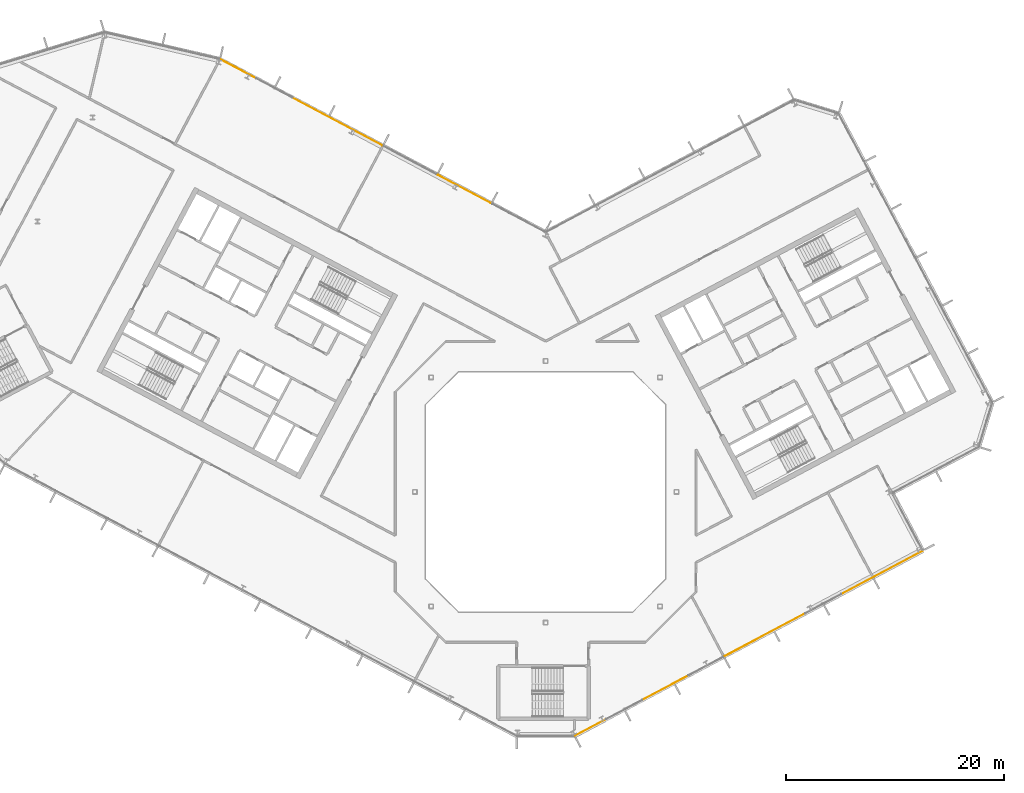
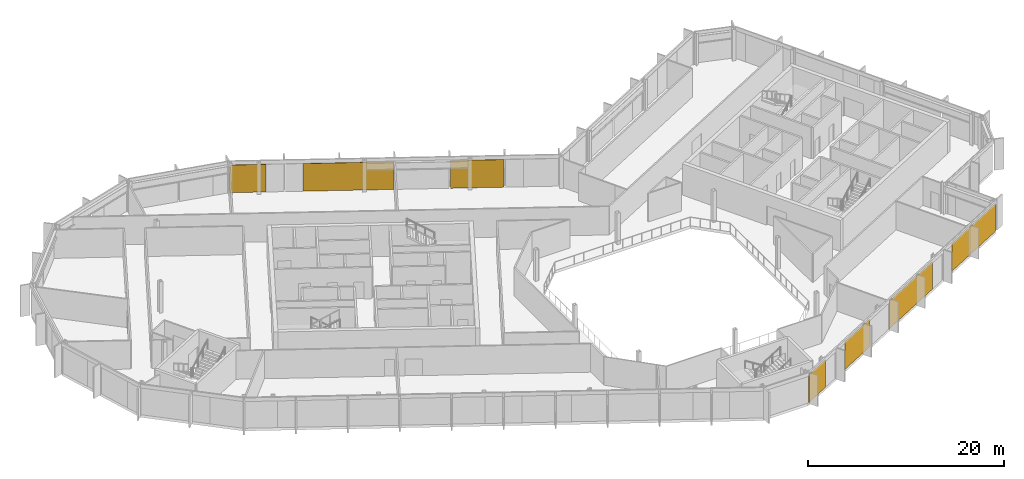
# One storey, part 23 of 25: 7 coverings, 2 elements without a shape of their own.
"""IFC4 building model written with IfcOpenShell, lengths in metres."""

import ifcopenshell
import ifcopenshell.guid

model = None  # the IFC model being written
_history = None  # IfcOwnerHistory: only IFC2X3 demands one
_inside = {}  # id of a spatial element -> (the spatial element, [elements in it])
_under = {}  # id of a project, library or spatial element -> (it, [spatial elements below it])
_declared = {}  # id of a project -> (the project, [libraries it declares])
_typed = {}  # id of a type object -> (the type object, [elements of that type])
_made_of = {}  # id of a material, layer set ... -> (it, [elements and type objects made of it])


def new_model(schema):
    """Start an empty IFC model of exactly this schema.

    Asked for "IFC4X3", IfcOpenShell would pick the latest addendum, in which some entities
    have other attributes; the version numbers below select the first issue.
    IFC2X3 requires an IfcOwnerHistory on every rooted entity: one is made here for all.
    """
    global model, _history
    if schema == "IFC4X3":
        model = ifcopenshell.file(schema_version=(4, 3, 0, 0))
    else:
        model = ifcopenshell.file(schema=schema)
    _inside.clear()
    _under.clear()
    _declared.clear()
    _typed.clear()
    _made_of.clear()
    _history = None
    if model.schema == "IFC2X3":
        org = make("IfcOrganization", Name="unknown")
        user = make(
            "IfcPersonAndOrganization",
            ThePerson=make("IfcPerson", FamilyName="unknown"),
            TheOrganization=org,
        )
        app = make(
            "IfcApplication",
            ApplicationDeveloper=org,
            Version="unknown",
            ApplicationFullName="unknown",
            ApplicationIdentifier="unknown",
        )
        _history = make(
            "IfcOwnerHistory",
            OwningUser=user,
            OwningApplication=app,
            ChangeAction="ADDED",
            CreationDate=0,
        )
    return model


def make(cls, **values):
    """One entity of the class cls with the attributes given. An attribute that is None is left unset."""
    return model.create_entity(
        cls, **{name: value for name, value in values.items() if value is not None}
    )


def rooted(cls, **values):
    """An entity with a GlobalId (a new one), such as an element, a storey or a relation."""
    return make(cls, GlobalId=ifcopenshell.guid.new(), OwnerHistory=_history, **values)


def si_unit(unit_type, name, prefix=None):
    """IfcSIUnit, for example si_unit("LENGTHUNIT", "METRE", prefix="MILLI")."""
    return make("IfcSIUnit", UnitType=unit_type, Prefix=prefix, Name=name)


def assignment(units):
    """IfcUnitAssignment: the units of a project."""
    return None if units is None else make("IfcUnitAssignment", Units=units)


def point(xyz):
    """IfcCartesianPoint."""
    return None if xyz is None else make("IfcCartesianPoint", Coordinates=xyz)


def direction(xyz):
    """IfcDirection."""
    return None if xyz is None else make("IfcDirection", DirectionRatios=xyz)


def frame(location, z_axis=None, x_axis=None):
    """IfcAxis2Placement3D, a coordinate frame: its origin and axes. An axis left out is left unset."""
    return make(
        "IfcAxis2Placement3D",
        Location=point(location),
        Axis=direction(z_axis),
        RefDirection=direction(x_axis),
    )


def frame_2d(location, x_axis=None):
    """IfcAxis2Placement2D, a coordinate frame in the plane: its origin and x axis."""
    return make(
        "IfcAxis2Placement2D", Location=point(location), RefDirection=direction(x_axis)
    )


def origin():
    """The frame at (0, 0, 0) with its axes left unset."""
    return frame((0.0, 0.0, 0.0))


def origin_2d():
    """The frame at (0, 0) in the plane with its x axis left unset."""
    return frame_2d((0.0, 0.0))


def place(relative_to, where):
    """IfcLocalPlacement: puts the frame where relative to a parent placement (None: the world)."""
    return make(
        "IfcLocalPlacement", PlacementRelTo=relative_to, RelativePlacement=where
    )


def context(
    kind, dimensions, precision=None, world=None, true_north=None, identifier=None
):
    """IfcGeometricRepresentationContext, for example the 3D "Model" context."""
    return make(
        "IfcGeometricRepresentationContext",
        ContextIdentifier=identifier,
        ContextType=kind,
        CoordinateSpaceDimension=dimensions,
        Precision=precision,
        WorldCoordinateSystem=world,
        TrueNorth=true_north,
    )


def subcontext(parent, identifier, kind, view, scale=None):
    """IfcGeometricRepresentationSubContext, for example "Body" below "Model"."""
    return make(
        "IfcGeometricRepresentationSubContext",
        ContextIdentifier=identifier,
        ContextType=kind,
        ParentContext=parent,
        TargetScale=scale,
        TargetView=view,
    )


def project(units=None, contexts=None):
    """IfcProject with its units and contexts."""
    return rooted(
        "IfcProject",
        Name="project",
        RepresentationContexts=contexts,
        UnitsInContext=assignment(units),
    )


def spatial(cls, under=None, at=None, **own):
    """A site, building, storey or space (cls), placed at a placement, below another one or the project."""
    s = rooted(cls, ObjectPlacement=at, **own)
    if under is not None:
        _under.setdefault(under.id(), (under, []))[1].append(s)
    return s


def profile(cls, at=None, kind="AREA", **sizes):
    """A parametric profile (cls). Its sizes go by their IFC names, for example OverallWidth=200.0."""
    return make(cls, ProfileType=kind, Position=at, **sizes)


def rectangle(**sizes):
    """IfcRectangleProfileDef."""
    return profile("IfcRectangleProfileDef", **sizes)


def extrude(swept, where, along, depth):
    """IfcExtrudedAreaSolid: the profile swept, set in the frame where, extruded along a direction by depth."""
    return make(
        "IfcExtrudedAreaSolid",
        SweptArea=swept,
        Position=where,
        ExtrudedDirection=direction(along),
        Depth=depth,
    )


def shape(context_of_items, identifier, shape_type, items):
    """IfcShapeRepresentation: the items that make up one representation, for example the "Body"."""
    return make(
        "IfcShapeRepresentation",
        ContextOfItems=context_of_items,
        RepresentationIdentifier=identifier,
        RepresentationType=shape_type,
        Items=items,
    )


def material(Name=None, Category=None):
    """IfcMaterial."""
    return make("IfcMaterial", Name=Name, Category=Category)


def layer(
    of_material, thickness, ventilated=None, Name=None, Category=None, Priority=None
):
    """IfcMaterialLayer: one layer of a wall or slab, of a material (None: an air gap)."""
    return make(
        "IfcMaterialLayer",
        Material=of_material,
        LayerThickness=thickness,
        IsVentilated=ventilated,
        Name=Name,
        Category=Category,
        Priority=Priority,
    )


def layer_set(layers, Name=None):
    """IfcMaterialLayerSet."""
    return make("IfcMaterialLayerSet", MaterialLayers=layers, LayerSetName=Name)


def made_of(thing, what):
    """Note that an element or type object is made of a material, layer set ...; save() writes the relation."""
    if what is not None:
        _made_of.setdefault(what.id(), (what, []))[1].append(thing)
    return thing


def type_object(cls, material=None, **own):
    """A type object (cls), such as IfcWallType, which elements share."""
    return made_of(rooted(cls, **own), material)


def element(
    cls,
    number,
    at=None,
    inside=None,
    cuts=None,
    type_object=None,
    material=None,
    context=None,
    identifier="Body",
    shape_type=None,
    held_by="IfcProductDefinitionShape",
    body=None,
    shapes=None,
    **own,
):
    """One element of the class cls, such as IfcWall. Its Tag is "e" and its number.

    at: its placement. inside: the storey or other place that contains it. cuts: it is an
    opening in that element (IfcRelVoidsElement). A single representation is given by context,
    identifier, shape_type and body (its items); several are given by shapes. held_by: the class
    of the entity that holds the representations. save() writes the other relations.
    """
    e = rooted(cls, Tag="e%d" % number, ObjectPlacement=at, **own)
    if body is not None:
        shapes = [shape(context, identifier, shape_type, body)]
    if shapes is not None:
        e.Representation = make(held_by, Representations=shapes)
    if inside is not None:
        _inside.setdefault(inside.id(), (inside, []))[1].append(e)
    if cuts is not None:
        rooted(
            "IfcRelVoidsElement", RelatingBuildingElement=cuts, RelatedOpeningElement=e
        )
    if type_object is not None:
        _typed.setdefault(type_object.id(), (type_object, []))[1].append(e)
    return made_of(e, material)


def aggregate(whole, parts):
    """IfcRelAggregates: a whole, such as a stair, and the parts it consists of."""
    return rooted("IfcRelAggregates", RelatingObject=whole, RelatedObjects=parts)


def save(model, path):
    """Write the relations noted so far, then the file.

    IfcRelAggregates (storeys below a building ...), IfcRelContainedInSpatialStructure (elements
    in a storey), IfcRelDefinesByType, IfcRelAssociatesMaterial and IfcRelDeclares: one each for
    every whole, place, type object, material and project.
    """
    for whole, parts in _under.values():
        aggregate(whole, parts)
    for where, things in _inside.values():
        rooted(
            "IfcRelContainedInSpatialStructure",
            RelatedElements=things,
            RelatingStructure=where,
        )
    for kind, things in _typed.values():
        rooted("IfcRelDefinesByType", RelatedObjects=things, RelatingType=kind)
    for what, things in _made_of.values():
        rooted("IfcRelAssociatesMaterial", RelatedObjects=things, RelatingMaterial=what)
    for by, libraries in _declared.values():
        rooted("IfcRelDeclares", RelatingContext=by, RelatedDefinitions=libraries)
    model.write(path)


model = new_model("IFC4")

# Units and contexts
model_context = context("Model", 3, precision=1e-05, world=origin(), true_north=direction((0.0, 1.0)))
body_context = subcontext(model_context, "Body", "Model", "MODEL_VIEW")
ifc_project = project(units=[si_unit("LENGTHUNIT", "METRE"), si_unit("AREAUNIT", "SQUARE_METRE"), si_unit("VOLUMEUNIT", "CUBIC_METRE"), si_unit("PLANEANGLEUNIT", "RADIAN"), si_unit("MASSUNIT", "GRAM", prefix="KILO")], contexts=[model_context])

# Site, building, storey
site_placement = place(None, origin())
site = spatial("IfcSite", under=ifc_project, at=site_placement, CompositionType="ELEMENT")
building_placement = place(site_placement, origin())
building = spatial("IfcBuilding", under=site, at=building_placement, Name="Cormorant Relay Tower", CompositionType="ELEMENT")
storey_placement = place(building_placement, frame((0.0, 0.0, 281.39990234375)))
storey = spatial("IfcBuildingStorey", under=building, at=storey_placement, Name="L63", CompositionType="ELEMENT", Elevation=281.39990234375)

# Curtain wall, coverings
ifc_material_1 = material(Name="Aluminium 6063-T6 anodised bronze", Category="aluminium")
ifc_layer_1 = layer(ifc_material_1, 0.199951171875)
ifc_layer_set_1 = layer_set([ifc_layer_1], Name="CW1 unitised bronze curtain wall with vertical fins")
curtain_wall_type = type_object("IfcCurtainWallType", Name="CW1 unitised bronze curtain wall with vertical fins", PredefinedType="NOTDEFINED", material=ifc_layer_set_1)
curtain_wall_1_placement = place(storey_placement, origin())
curtain_wall_1 = element("IfcCurtainWall", 1, at=curtain_wall_1_placement, inside=storey, type_object=curtain_wall_type, Name="CW1 curtain wall 2", PredefinedType="NOTDEFINED")
ifc_material_2 = material(Name="Pale bronze anodised aluminium insulated panel", Category="aluminium")
ifc_layer_2 = layer(ifc_material_2, 0.0400390625)
ifc_layer_set_2 = layer_set([ifc_layer_2], Name="CW1 pale bronze insulated panel 40")
covering_type = type_object("IfcCoveringType", Name="CW1 pale bronze insulated panel 40", PredefinedType="CLADDING", material=ifc_layer_set_2)
covering_1_placement = place(storey_placement, frame((4.14453125, -21.60302734375, 0.0), z_axis=(0.0, 0.0, 1.0), x_axis=(0.882947592859, 0.469471562786, 0.0)))
covering_1 = element("IfcCovering", 2, at=covering_1_placement, type_object=covering_type, Name="CW1 panel S00", PredefinedType="CLADDING", context=body_context, shape_type="SweptSolid", body=[
    extrude(rectangle(XDim=3.216552734375, YDim=0.0400390625, at=origin_2d()), origin(), (0.0, 0.0, 1.0), 3.449951171875),
])
covering_2_placement = place(storey_placement, frame((10.9873046875, -17.964599609375, 0.0), z_axis=(0.0, 0.0, 1.0), x_axis=(0.882947592859, 0.469471562786, 0.0)))
covering_2 = element("IfcCovering", 3, at=covering_2_placement, type_object=covering_type, Name="CW1 panel S03", PredefinedType="CLADDING", context=body_context, shape_type="SweptSolid", body=[
    extrude(rectangle(XDim=4.783203125, YDim=0.0400390625, at=origin_2d()), origin(), (0.0, 0.0, 1.0), 3.449951171875),
])
covering_3_placement = place(storey_placement, frame((20.11083984375, -13.113525390625, 0.0), z_axis=(0.0, 0.0, 1.0), x_axis=(0.882947592859, 0.469471562786, 0.0)))
covering_3 = element("IfcCovering", 4, at=covering_3_placement, type_object=covering_type, Name="CW1 panel S05", PredefinedType="CLADDING", context=body_context, shape_type="SweptSolid", body=[
    extrude(rectangle(XDim=8.383056640625, YDim=0.0400390625, at=origin_2d()), origin(), (0.0, 0.0, 1.0), 3.449951171875),
])
covering_4_placement = place(storey_placement, frame((30.856689453125, -7.39990234375, 0.0), z_axis=(0.0, 0.0, 1.0), x_axis=(0.882947592859, 0.469471562786, 0.0)))
covering_4 = element("IfcCovering", 5, at=covering_4_placement, type_object=covering_type, Name="CW1 panel S08", PredefinedType="CLADDING", context=body_context, shape_type="SweptSolid", body=[
    extrude(rectangle(XDim=8.4580078125, YDim=0.0400390625, at=origin_2d()), origin(), (0.0, 0.0, 1.0), 3.449951171875),
])
aggregate(curtain_wall_1, [covering_1, covering_2, covering_3, covering_4])

curtain_wall_2_placement = place(storey_placement, origin())
curtain_wall_2 = element("IfcCurtainWall", 6, at=curtain_wall_2_placement, inside=storey, type_object=curtain_wall_type, Name="CW1 curtain wall 9", PredefinedType="NOTDEFINED")
covering_5_placement = place(storey_placement, frame((-7.458984375, 27.772705078125, 0.0), z_axis=(0.0, 0.0, 1.0), x_axis=(-0.882947592859, 0.469471562786, 0.0)))
covering_5 = element("IfcCovering", 7, at=covering_5_placement, type_object=covering_type, Name="CW1 panel S02", PredefinedType="CLADDING", context=body_context, shape_type="SweptSolid", body=[
    extrude(rectangle(XDim=5.489013671875, YDim=0.0400390625, at=origin_2d()), origin(), (0.0, 0.0, 1.0), 3.449951171875),
])
covering_6_placement = place(storey_placement, frame((-19.11181640625, 33.968505859375, 0.0), z_axis=(0.0, 0.0, 1.0), x_axis=(-0.882947592859, 0.469471562786, 0.0)))
covering_6 = element("IfcCovering", 8, at=covering_6_placement, type_object=covering_type, Name="CW1 panel S04", PredefinedType="CLADDING", context=body_context, shape_type="SweptSolid", body=[
    extrude(rectangle(XDim=9.327880859375, YDim=0.0400390625, at=origin_2d()), origin(), (0.0, 0.0, 1.0), 3.449951171875),
])
covering_7_placement = place(storey_placement, frame((-28.20263671875, 38.80224609375, 0.0), z_axis=(0.0, 0.0, 1.0), x_axis=(-0.882947592859, 0.469471562786, 0.0)))
covering_7 = element("IfcCovering", 9, at=covering_7_placement, type_object=covering_type, Name="CW1 panel S07", PredefinedType="CLADDING", context=body_context, shape_type="SweptSolid", body=[
    extrude(rectangle(XDim=3.763916015625, YDim=0.0400390625, at=origin_2d()), origin(), (0.0, 0.0, 1.0), 3.449951171875),
])
aggregate(curtain_wall_2, [covering_5, covering_6, covering_7])

save(model, "model.ifc")
